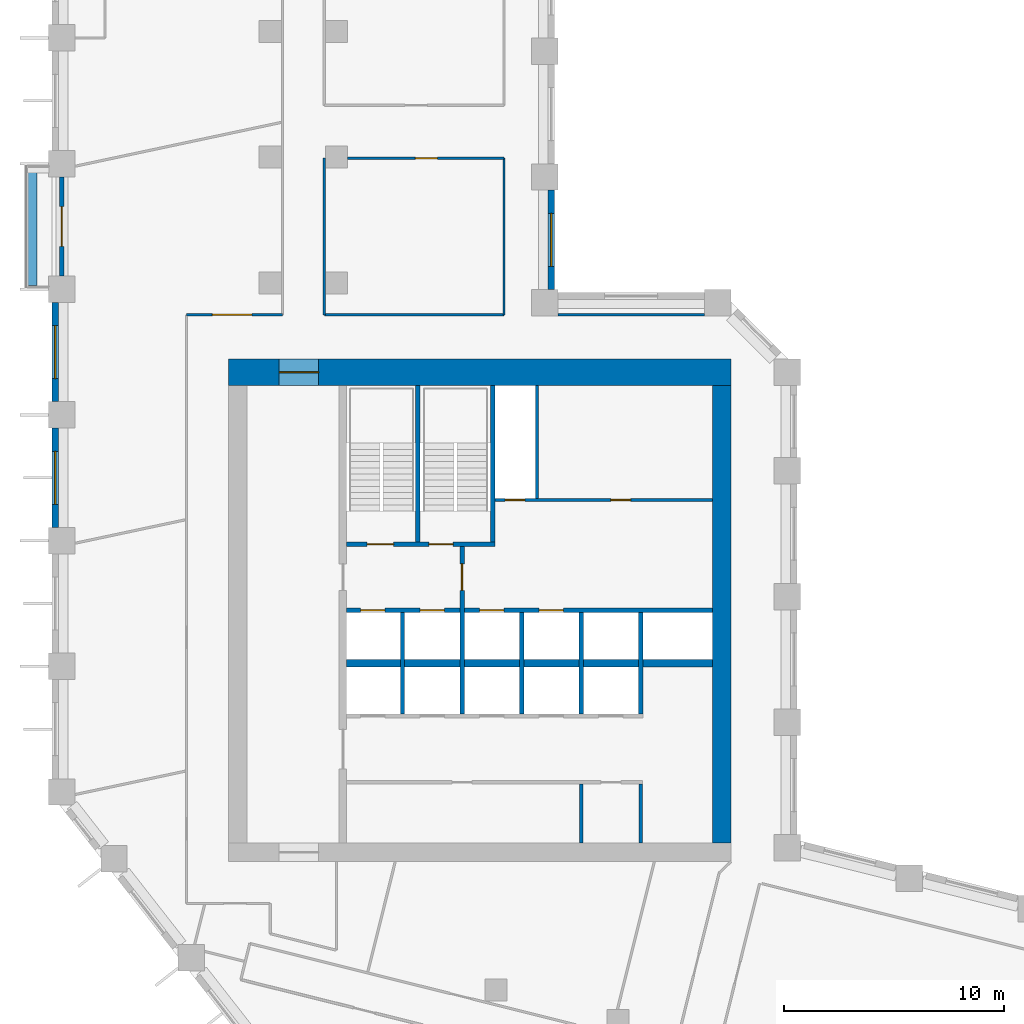
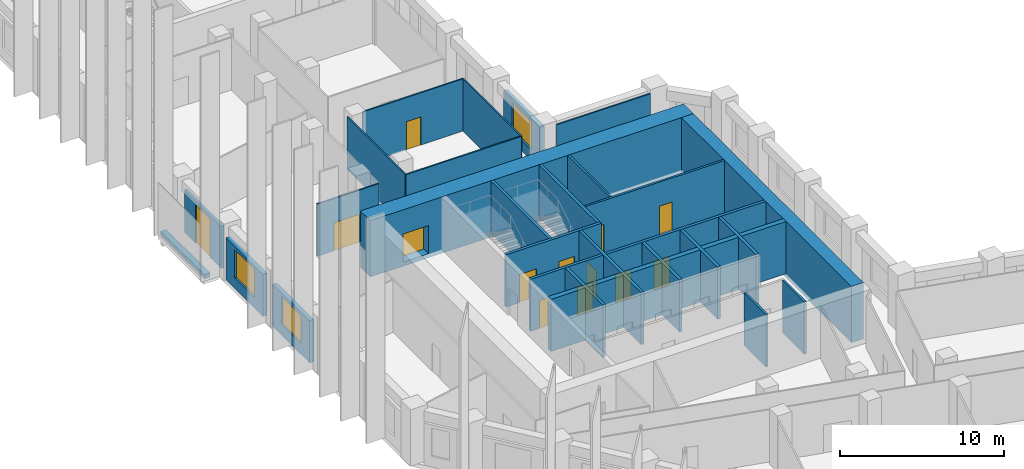
# One storey, part 5 of 10: 27 walls, 13 doors, 3 windows, 16 openings.
"""IFC4 building model written with IfcOpenShell, lengths in metres."""

import ifcopenshell
import ifcopenshell.guid

model = None  # the IFC model being written
_history = None  # IfcOwnerHistory: only IFC2X3 demands one
_inside = {}  # id of a spatial element -> (the spatial element, [elements in it])
_under = {}  # id of a project, library or spatial element -> (it, [spatial elements below it])
_declared = {}  # id of a project -> (the project, [libraries it declares])
_typed = {}  # id of a type object -> (the type object, [elements of that type])
_made_of = {}  # id of a material, layer set ... -> (it, [elements and type objects made of it])


def new_model(schema):
    """Start an empty IFC model of exactly this schema.

    Asked for "IFC4X3", IfcOpenShell would pick the latest addendum, in which some entities
    have other attributes; the version numbers below select the first issue.
    IFC2X3 requires an IfcOwnerHistory on every rooted entity: one is made here for all.
    """
    global model, _history
    if schema == "IFC4X3":
        model = ifcopenshell.file(schema_version=(4, 3, 0, 0))
    else:
        model = ifcopenshell.file(schema=schema)
    _inside.clear()
    _under.clear()
    _declared.clear()
    _typed.clear()
    _made_of.clear()
    _history = None
    if model.schema == "IFC2X3":
        org = make("IfcOrganization", Name="unknown")
        user = make(
            "IfcPersonAndOrganization",
            ThePerson=make("IfcPerson", FamilyName="unknown"),
            TheOrganization=org,
        )
        app = make(
            "IfcApplication",
            ApplicationDeveloper=org,
            Version="unknown",
            ApplicationFullName="unknown",
            ApplicationIdentifier="unknown",
        )
        _history = make(
            "IfcOwnerHistory",
            OwningUser=user,
            OwningApplication=app,
            ChangeAction="ADDED",
            CreationDate=0,
        )
    return model


def make(cls, **values):
    """One entity of the class cls with the attributes given. An attribute that is None is left unset."""
    return model.create_entity(
        cls, **{name: value for name, value in values.items() if value is not None}
    )


def rooted(cls, **values):
    """An entity with a GlobalId (a new one), such as an element, a storey or a relation."""
    return make(cls, GlobalId=ifcopenshell.guid.new(), OwnerHistory=_history, **values)


def si_unit(unit_type, name, prefix=None):
    """IfcSIUnit, for example si_unit("LENGTHUNIT", "METRE", prefix="MILLI")."""
    return make("IfcSIUnit", UnitType=unit_type, Prefix=prefix, Name=name)


def assignment(units):
    """IfcUnitAssignment: the units of a project."""
    return None if units is None else make("IfcUnitAssignment", Units=units)


def point(xyz):
    """IfcCartesianPoint."""
    return None if xyz is None else make("IfcCartesianPoint", Coordinates=xyz)


def direction(xyz):
    """IfcDirection."""
    return None if xyz is None else make("IfcDirection", DirectionRatios=xyz)


def frame(location, z_axis=None, x_axis=None):
    """IfcAxis2Placement3D, a coordinate frame: its origin and axes. An axis left out is left unset."""
    return make(
        "IfcAxis2Placement3D",
        Location=point(location),
        Axis=direction(z_axis),
        RefDirection=direction(x_axis),
    )


def frame_2d(location, x_axis=None):
    """IfcAxis2Placement2D, a coordinate frame in the plane: its origin and x axis."""
    return make(
        "IfcAxis2Placement2D", Location=point(location), RefDirection=direction(x_axis)
    )


def origin():
    """The frame at (0, 0, 0) with its axes left unset."""
    return frame((0.0, 0.0, 0.0))


def place(relative_to, where):
    """IfcLocalPlacement: puts the frame where relative to a parent placement (None: the world)."""
    return make(
        "IfcLocalPlacement", PlacementRelTo=relative_to, RelativePlacement=where
    )


def context(
    kind, dimensions, precision=None, world=None, true_north=None, identifier=None
):
    """IfcGeometricRepresentationContext, for example the 3D "Model" context."""
    return make(
        "IfcGeometricRepresentationContext",
        ContextIdentifier=identifier,
        ContextType=kind,
        CoordinateSpaceDimension=dimensions,
        Precision=precision,
        WorldCoordinateSystem=world,
        TrueNorth=true_north,
    )


def subcontext(parent, identifier, kind, view, scale=None):
    """IfcGeometricRepresentationSubContext, for example "Body" below "Model"."""
    return make(
        "IfcGeometricRepresentationSubContext",
        ContextIdentifier=identifier,
        ContextType=kind,
        ParentContext=parent,
        TargetScale=scale,
        TargetView=view,
    )


def project(units=None, contexts=None):
    """IfcProject with its units and contexts."""
    return rooted(
        "IfcProject",
        Name="project",
        RepresentationContexts=contexts,
        UnitsInContext=assignment(units),
    )


def spatial(cls, under=None, at=None, **own):
    """A site, building, storey or space (cls), placed at a placement, below another one or the project."""
    s = rooted(cls, ObjectPlacement=at, **own)
    if under is not None:
        _under.setdefault(under.id(), (under, []))[1].append(s)
    return s


def profile(cls, at=None, kind="AREA", **sizes):
    """A parametric profile (cls). Its sizes go by their IFC names, for example OverallWidth=200.0."""
    return make(cls, ProfileType=kind, Position=at, **sizes)


def rectangle(**sizes):
    """IfcRectangleProfileDef."""
    return profile("IfcRectangleProfileDef", **sizes)


def extrude(swept, where, along, depth):
    """IfcExtrudedAreaSolid: the profile swept, set in the frame where, extruded along a direction by depth."""
    return make(
        "IfcExtrudedAreaSolid",
        SweptArea=swept,
        Position=where,
        ExtrudedDirection=direction(along),
        Depth=depth,
    )


def shape(context_of_items, identifier, shape_type, items):
    """IfcShapeRepresentation: the items that make up one representation, for example the "Body"."""
    return make(
        "IfcShapeRepresentation",
        ContextOfItems=context_of_items,
        RepresentationIdentifier=identifier,
        RepresentationType=shape_type,
        Items=items,
    )


def material(Name=None, Category=None):
    """IfcMaterial."""
    return make("IfcMaterial", Name=Name, Category=Category)


def layer(
    of_material, thickness, ventilated=None, Name=None, Category=None, Priority=None
):
    """IfcMaterialLayer: one layer of a wall or slab, of a material (None: an air gap)."""
    return make(
        "IfcMaterialLayer",
        Material=of_material,
        LayerThickness=thickness,
        IsVentilated=ventilated,
        Name=Name,
        Category=Category,
        Priority=Priority,
    )


def layer_set(layers, Name=None):
    """IfcMaterialLayerSet."""
    return make("IfcMaterialLayerSet", MaterialLayers=layers, LayerSetName=Name)


def made_of(thing, what):
    """Note that an element or type object is made of a material, layer set ...; save() writes the relation."""
    if what is not None:
        _made_of.setdefault(what.id(), (what, []))[1].append(thing)
    return thing


def type_object(cls, material=None, **own):
    """A type object (cls), such as IfcWallType, which elements share."""
    return made_of(rooted(cls, **own), material)


def element(
    cls,
    number,
    at=None,
    inside=None,
    cuts=None,
    type_object=None,
    material=None,
    context=None,
    identifier="Body",
    shape_type=None,
    held_by="IfcProductDefinitionShape",
    body=None,
    shapes=None,
    **own,
):
    """One element of the class cls, such as IfcWall. Its Tag is "e" and its number.

    at: its placement. inside: the storey or other place that contains it. cuts: it is an
    opening in that element (IfcRelVoidsElement). A single representation is given by context,
    identifier, shape_type and body (its items); several are given by shapes. held_by: the class
    of the entity that holds the representations. save() writes the other relations.
    """
    e = rooted(cls, Tag="e%d" % number, ObjectPlacement=at, **own)
    if body is not None:
        shapes = [shape(context, identifier, shape_type, body)]
    if shapes is not None:
        e.Representation = make(held_by, Representations=shapes)
    if inside is not None:
        _inside.setdefault(inside.id(), (inside, []))[1].append(e)
    if cuts is not None:
        rooted(
            "IfcRelVoidsElement", RelatingBuildingElement=cuts, RelatedOpeningElement=e
        )
    if type_object is not None:
        _typed.setdefault(type_object.id(), (type_object, []))[1].append(e)
    return made_of(e, material)


def fill(opening, filler):
    """IfcRelFillsElement: the door or window that sits in an opening."""
    return rooted(
        "IfcRelFillsElement",
        RelatingOpeningElement=opening,
        RelatedBuildingElement=filler,
    )


def aggregate(whole, parts):
    """IfcRelAggregates: a whole, such as a stair, and the parts it consists of."""
    return rooted("IfcRelAggregates", RelatingObject=whole, RelatedObjects=parts)


def save(model, path):
    """Write the relations noted so far, then the file.

    IfcRelAggregates (storeys below a building ...), IfcRelContainedInSpatialStructure (elements
    in a storey), IfcRelDefinesByType, IfcRelAssociatesMaterial and IfcRelDeclares: one each for
    every whole, place, type object, material and project.
    """
    for whole, parts in _under.values():
        aggregate(whole, parts)
    for where, things in _inside.values():
        rooted(
            "IfcRelContainedInSpatialStructure",
            RelatedElements=things,
            RelatingStructure=where,
        )
    for kind, things in _typed.values():
        rooted("IfcRelDefinesByType", RelatedObjects=things, RelatingType=kind)
    for what, things in _made_of.values():
        rooted("IfcRelAssociatesMaterial", RelatedObjects=things, RelatingMaterial=what)
    for by, libraries in _declared.values():
        rooted("IfcRelDeclares", RelatingContext=by, RelatedDefinitions=libraries)
    model.write(path)


model = new_model("IFC4")

# Units and contexts
model_context = context("Model", 3, precision=1e-05, world=origin(), true_north=direction((0.0, 1.0)))
body_context = subcontext(model_context, "Body", "Model", "MODEL_VIEW")
ifc_project = project(units=[si_unit("LENGTHUNIT", "METRE"), si_unit("AREAUNIT", "SQUARE_METRE"), si_unit("VOLUMEUNIT", "CUBIC_METRE"), si_unit("PLANEANGLEUNIT", "RADIAN"), si_unit("MASSUNIT", "GRAM", prefix="KILO")], contexts=[model_context])

# Site, building, storey
site_placement = place(None, origin())
site = spatial("IfcSite", under=ifc_project, at=site_placement, CompositionType="ELEMENT")
building_placement = place(site_placement, origin())
building = spatial("IfcBuilding", under=site, at=building_placement, Name="Meshkara Civic Tower", CompositionType="ELEMENT")
storey_placement = place(building_placement, frame((0.0, 0.0, 178.199951171875)))
storey = spatial("IfcBuildingStorey", under=building, at=storey_placement, Name="L40", CompositionType="ELEMENT", Elevation=178.199951171875)

# Wall, openings, doors
ifc_material_1 = material(Name="Blockwork", Category="masonry")
ifc_layer_1 = layer(ifc_material_1, 0.14990234375)
ifc_layer_set_1 = layer_set([ifc_layer_1], Name="Core partition 150")
wall_type_1 = type_object("IfcWallType", Name="Core partition 150", PredefinedType="PARTITIONING", material=ifc_layer_set_1)
wall_1_placement = place(storey_placement, frame((20.10009765625, 30.5, 0.0), z_axis=(0.0, 0.0, 1.0), x_axis=(1.0, 0.0, 0.0)))
wall_1 = element("IfcWall", 1, at=wall_1_placement, inside=storey, type_object=wall_type_1, Name="L40-C010", PredefinedType="PARTITIONING", context=body_context, shape_type="SweptSolid", body=[
    extrude(rectangle(XDim=9.849853515625, YDim=0.14990234375, at=frame_2d((4.9248046875, 0.0))), origin(), (0.0, 0.0, 1.0), 3.900146484375),
])
opening_1_placement = place(wall_1_placement, frame((0.449951171875, 0.0, 0.0)))
opening_1 = element("IfcOpeningElement", 2, at=opening_1_placement, cuts=wall_1, Name="Opening L40-K012", PredefinedType="OPENING", context=body_context, shape_type="SweptSolid", body=[
    extrude(rectangle(XDim=0.89990234375, YDim=2.10009765625, at=frame_2d((0.449951171875, 1.050048828125))), frame((0.0, 0.0849609375, 0.0), z_axis=(0.0, -1.0, 0.0), x_axis=(1.0, 0.0, 0.0)), (0.0, 0.0, 1.0), 0.169921875),
])
opening_2_placement = place(wall_1_placement, frame((5.25, 0.0, 0.0)))
opening_2 = element("IfcOpeningElement", 3, at=opening_2_placement, cuts=wall_1, Name="Opening L40-K013", PredefinedType="OPENING", context=body_context, shape_type="SweptSolid", body=[
    extrude(rectangle(XDim=0.89990234375, YDim=2.10009765625, at=frame_2d((0.449951171875, 1.050048828125))), frame((0.0, 0.0849609375, 0.0), z_axis=(0.0, -1.0, 0.0), x_axis=(1.0, 0.0, 0.0)), (0.0, 0.0, 1.0), 0.169921875),
])
ifc_material_2 = material(Name="Timber door leaf in steel frame", Category="steel")
door_type_1 = type_object("IfcDoorType", Name="Core room door 900", OperationType="SINGLE_SWING_LEFT", PredefinedType="DOOR", material=ifc_material_2)
door_1_placement = place(opening_2_placement, origin())
door_1 = element("IfcDoor", 4, at=door_1_placement, inside=storey, type_object=door_type_1, Name="L40-K013", OperationType="SINGLE_SWING_LEFT", OverallHeight=2.10009765625, OverallWidth=0.89990234375, PredefinedType="DOOR", context=body_context, shape_type="SweptSolid", body=[
    extrude(rectangle(XDim=0.89990234375, YDim=2.10009765625, at=frame_2d((0.449951171875, 1.050048828125))), frame((0.0, 0.02490234375, 0.0), z_axis=(0.0, -1.0, 0.0), x_axis=(1.0, 0.0, 0.0)), (0.0, 0.0, 1.0), 0.050048828125),
])
fill(opening_2, door_1)
ifc_material_3 = material(Name="Fire-rated door leaf in steel frame", Category="steel")
door_type_2 = type_object("IfcDoorType", Name="Riser door 900", OperationType="SINGLE_SWING_LEFT", PredefinedType="DOOR", material=ifc_material_3)
door_2_placement = place(opening_1_placement, origin())
door_2 = element("IfcDoor", 5, at=door_2_placement, inside=storey, type_object=door_type_2, Name="L40-K012", OperationType="SINGLE_SWING_RIGHT", OverallHeight=2.10009765625, OverallWidth=0.89990234375, PredefinedType="DOOR", context=body_context, shape_type="SweptSolid", body=[
    extrude(rectangle(XDim=0.89990234375, YDim=2.10009765625, at=frame_2d((0.449951171875, 1.050048828125))), frame((0.0, 0.02490234375, 0.0), z_axis=(0.0, -1.0, 0.0), x_axis=(1.0, 0.0, 0.0)), (0.0, 0.0, 1.0), 0.050048828125),
])
fill(opening_1, door_2)

# Walls
wall_2_placement = place(storey_placement, frame((22.0, 30.574951171875, 0.0), z_axis=(0.0, 0.0, 1.0), x_axis=(0.0, 1.0, 0.0)))
element("IfcWall", 6, at=wall_2_placement, inside=storey, type_object=wall_type_1, Name="L40-C017", PredefinedType="PARTITIONING", context=body_context, shape_type="SweptSolid", body=[
    extrude(rectangle(XDim=5.125, YDim=0.14990234375, at=frame_2d((2.5625, 0.0))), origin(), (0.0, 0.0, 1.0), 3.900146484375),
])
for number, where, z_axis, x_axis, name in (
    (7, (24.0, 14.949951171875, 0.0), (0.0, 0.0, 1.0), (0.0, 1.0, 0.0), "L40-C018"),
    (8, (26.699951171875, 14.949951171875, 0.0), (0.0, 0.0, 1.0), (0.0, 1.0, 0.0), "L40-C020"),
):
    element("IfcWall", number, at=place(storey_placement, frame(where, z_axis=z_axis, x_axis=x_axis)), inside=storey, type_object=wall_type_1, Name=name, PredefinedType="PARTITIONING", context=body_context, shape_type="SweptSolid", body=[
        extrude(rectangle(XDim=2.675048828125, YDim=0.14990234375, at=frame_2d((1.33740234375, 0.0))), origin(), (0.0, 0.0, 1.0), 3.900146484375),
    ])

# Wall, opening, door
ifc_material_4 = material(Name="Concrete C70", Category="concrete")
ifc_layer_2 = layer(ifc_material_4, 1.199951171875)
ifc_layer_set_2 = layer_set([ifc_layer_2], Name="Core ring wall 1200 C70")
wall_type_2 = type_object("IfcWallType", Name="Core ring wall 1200 C70", PredefinedType="SHEAR", material=ifc_layer_set_2)
wall_3_placement = place(storey_placement, frame((8.0, 36.300048828125, -0.300048828125), z_axis=(0.0, 0.0, 1.0), x_axis=(1.0, 0.0, 0.0)))
wall_3 = element("IfcWall", 9, at=wall_3_placement, inside=storey, type_object=wall_type_2, Name="L40-C002", PredefinedType="SHEAR", context=body_context, shape_type="SweptSolid", body=[
    extrude(rectangle(XDim=22.800048828125, YDim=1.199951171875, at=frame_2d((11.39990234375, 0.0))), origin(), (0.0, 0.0, 1.0), 4.2001953125),
])
opening_3_placement = place(wall_3_placement, frame((2.300048828125, 0.0, 0.300048828125)))
opening_3 = element("IfcOpeningElement", 10, at=opening_3_placement, cuts=wall_3, Name="Opening L40-K019", PredefinedType="OPENING", context=body_context, shape_type="SweptSolid", body=[
    extrude(rectangle(XDim=1.800048828125, YDim=2.10009765625, at=frame_2d((0.89990234375, 1.050048828125))), frame((0.0, 0.60986328125, 0.0), z_axis=(0.0, -1.0, 0.0), x_axis=(1.0, 0.0, 0.0)), (0.0, 0.0, 1.0), 1.219970703125),
])
ifc_material_5 = material(Name="Fire-rated door leaf in steel frame", Category="steel")
door_type_3 = type_object("IfcDoorType", Name="Core double door 1800 EI 60", OperationType="DOUBLE_DOOR_SINGLE_SWING", PredefinedType="DOOR", material=ifc_material_5)
door_3_placement = place(opening_3_placement, origin())
door_3 = element("IfcDoor", 11, at=door_3_placement, inside=storey, type_object=door_type_3, Name="L40-K019", OperationType="DOUBLE_DOOR_SINGLE_SWING", OverallHeight=2.10009765625, OverallWidth=1.800048828125, PredefinedType="DOOR", context=body_context, shape_type="SweptSolid", body=[
    extrude(rectangle(XDim=1.800048828125, YDim=2.10009765625, at=frame_2d((0.89990234375, 1.050048828125))), frame((0.0, 0.02490234375, 0.0), z_axis=(0.0, -1.0, 0.0), x_axis=(1.0, 0.0, 0.0)), (0.0, 0.0, 1.0), 0.050048828125),
])
fill(opening_3, door_3)

# Walls
ifc_material_6 = material(Name="Concrete C70", Category="concrete")
ifc_layer_3 = layer(ifc_material_6, 0.85009765625)
ifc_layer_set_3 = layer_set([ifc_layer_3], Name="Core ring wall 850 C70")
wall_type_3 = type_object("IfcWallType", Name="Core ring wall 850 C70", PredefinedType="SHEAR", material=ifc_layer_set_3)
wall_4_placement = place(storey_placement, frame((30.375, 14.949951171875, -0.300048828125), z_axis=(0.0, 0.0, 1.0), x_axis=(0.0, 1.0, 0.0)))
element("IfcWall", 12, at=wall_4_placement, inside=storey, type_object=wall_type_3, Name="L40-C004", PredefinedType="SHEAR", context=body_context, shape_type="SweptSolid", body=[
    extrude(rectangle(XDim=20.75, YDim=0.85009765625, at=frame_2d((10.375, 0.0))), origin(), (0.0, 0.0, 1.0), 4.2001953125),
])
ifc_material_7 = material(Name="Concrete C70", Category="concrete")
ifc_layer_4 = layer(ifc_material_7, 0.340087890625)
ifc_layer_set_4 = layer_set([ifc_layer_4], Name="Core shear wall 340 C70")
wall_type_4 = type_object("IfcWallType", Name="Core shear wall 340 C70", PredefinedType="SHEAR", material=ifc_layer_set_4)
wall_5_placement = place(storey_placement, frame((13.3701171875, 23.10009765625, 0.0), z_axis=(0.0, 0.0, 1.0), x_axis=(1.0, 0.0, 0.0)))
element("IfcWall", 13, at=wall_5_placement, inside=storey, type_object=wall_type_4, Name="L40-C007", PredefinedType="SHEAR", context=body_context, shape_type="SweptSolid", body=[
    extrude(rectangle(XDim=16.579833984375, YDim=0.340087890625, at=frame_2d((8.2900390625, 0.0))), origin(), (0.0, 0.0, 1.0), 3.900146484375),
])

# Wall, opening, door
ifc_material_8 = material(Name="Corridor wall 100")
ifc_layer_5 = layer(ifc_material_8, 0.10009765625)
ifc_layer_set_5 = layer_set([ifc_layer_5], Name="Corridor wall 100")
wall_type_5 = type_object("IfcWallType", Name="Corridor wall 100", PredefinedType="PARTITIONING", material=ifc_layer_set_5)
wall_6_placement = place(storey_placement, frame((10.449951171875, 38.89990234375, 0.0), z_axis=(0.0, 0.0, 1.0), x_axis=(-1.0, 0.0, 0.0)))
wall_6 = element("IfcWall", 14, at=wall_6_placement, inside=storey, type_object=wall_type_5, Name="L40-W011", PredefinedType="PARTITIONING", context=body_context, shape_type="SweptSolid", body=[
    extrude(rectangle(XDim=4.349853515625, YDim=0.10009765625, at=frame_2d((2.1748046875, 0.0))), origin(), (0.0, 0.0, 1.0), 3.900146484375),
])
opening_4_placement = place(wall_6_placement, frame((1.3798828125, 0.0, 0.0)))
opening_4 = element("IfcOpeningElement", 15, at=opening_4_placement, cuts=wall_6, Name="Opening L40-D017", PredefinedType="OPENING", context=body_context, shape_type="SweptSolid", body=[
    extrude(rectangle(XDim=1.800048828125, YDim=2.10009765625, at=frame_2d((0.89990234375, 1.050048828125))), frame((0.0, 0.06005859375, 0.0), z_axis=(0.0, -1.0, 0.0), x_axis=(1.0, 0.0, 0.0)), (0.0, 0.0, 1.0), 0.1201171875),
])
ifc_material_9 = material(Name="Door pair 1800 x 2100")
door_type_4 = type_object("IfcDoorType", Name="Door pair 1800 x 2100", OperationType="SINGLE_SWING_LEFT", PredefinedType="DOOR", material=ifc_material_9)
door_4_placement = place(opening_4_placement, origin())
door_4 = element("IfcDoor", 16, at=door_4_placement, inside=storey, type_object=door_type_4, Name="L40-D017", OperationType="DOUBLE_DOOR_SINGLE_SWING", OverallHeight=2.10009765625, OverallWidth=1.800048828125, PredefinedType="DOOR", context=body_context, shape_type="SweptSolid", body=[
    extrude(rectangle(XDim=1.800048828125, YDim=2.10009765625, at=frame_2d((0.89990234375, 1.050048828125))), frame((0.0, 0.02490234375, 0.0), z_axis=(0.0, -1.0, 0.0), x_axis=(1.0, 0.0, 0.0)), (0.0, 0.0, 1.0), 0.050048828125),
])
fill(opening_4, door_4)

# Wall
wall_7_placement = place(storey_placement, frame((12.35009765625, 38.89990234375, 0.0), z_axis=(0.0, 0.0, 1.0), x_axis=(0.0, 1.0, 0.0)))
element("IfcWall", 17, at=wall_7_placement, inside=storey, type_object=wall_type_5, Name="L40-W013", PredefinedType="PARTITIONING", context=body_context, shape_type="SweptSolid", body=[
    extrude(rectangle(XDim=7.10009765625, YDim=0.10009765625, at=frame_2d((3.550048828125, 0.0))), origin(), (0.0, 0.0, 1.0), 3.900146484375),
])

# Wall, opening, door
wall_8_placement = place(storey_placement, frame((13.39990234375, 46.0, 0.0), z_axis=(0.0, 0.0, 1.0), x_axis=(1.0, 0.0, 0.0)))
wall_8 = element("IfcWall", 18, at=wall_8_placement, inside=storey, type_object=wall_type_5, Name="L40-W017", PredefinedType="PARTITIONING", context=body_context, shape_type="SweptSolid", body=[
    extrude(rectangle(XDim=7.10009765625, YDim=0.10009765625, at=frame_2d((3.550048828125, 0.0))), origin(), (0.0, 0.0, 1.0), 3.900146484375),
])
opening_5_placement = place(wall_8_placement, frame((3.080078125, 0.0, 0.0)))
opening_5 = element("IfcOpeningElement", 19, at=opening_5_placement, cuts=wall_8, Name="Opening L40-D018", PredefinedType="OPENING", context=body_context, shape_type="SweptSolid", body=[
    extrude(rectangle(XDim=1.0, YDim=2.10009765625, at=frame_2d((0.5, 1.050048828125))), frame((0.0, 0.06005859375, 0.0), z_axis=(0.0, -1.0, 0.0), x_axis=(1.0, 0.0, 0.0)), (0.0, 0.0, 1.0), 0.1201171875),
])
ifc_material_10 = material(Name="Door 1000 x 2100")
door_type_5 = type_object("IfcDoorType", Name="Door 1000 x 2100", OperationType="SINGLE_SWING_LEFT", PredefinedType="DOOR", material=ifc_material_10)
door_5_placement = place(opening_5_placement, origin())
door_5 = element("IfcDoor", 20, at=door_5_placement, inside=storey, type_object=door_type_5, Name="L40-D018", OperationType="SINGLE_SWING_LEFT", OverallHeight=2.10009765625, OverallWidth=1.0, PredefinedType="DOOR", context=body_context, shape_type="SweptSolid", body=[
    extrude(rectangle(XDim=1.0, YDim=2.10009765625, at=frame_2d((0.5, 1.050048828125))), frame((0.0, 0.02490234375, 0.0), z_axis=(0.0, -1.0, 0.0), x_axis=(1.0, 0.0, 0.0)), (0.0, 0.0, 1.0), 0.050048828125),
])
fill(opening_5, door_5)

# Walls
wall_9_placement = place(storey_placement, frame((20.5, 38.89990234375, 0.0), z_axis=(0.0, 0.0, 1.0), x_axis=(-1.0, 0.0, 0.0)))
element("IfcWall", 21, at=wall_9_placement, inside=storey, type_object=wall_type_5, Name="L40-W020", PredefinedType="PARTITIONING", context=body_context, shape_type="SweptSolid", body=[
    extrude(rectangle(XDim=8.14990234375, YDim=0.10009765625, at=frame_2d((4.074951171875, 0.0))), origin(), (0.0, 0.0, 1.0), 3.900146484375),
])
wall_10_placement = place(storey_placement, frame((20.5, 46.0, 0.0), z_axis=(0.0, 0.0, 1.0), x_axis=(0.0, -1.0, 0.0)))
element("IfcWall", 22, at=wall_10_placement, inside=storey, type_object=wall_type_5, Name="L40-W021", PredefinedType="PARTITIONING", context=body_context, shape_type="SweptSolid", body=[
    extrude(rectangle(XDim=7.10009765625, YDim=0.10009765625, at=frame_2d((3.550048828125, 0.0))), origin(), (0.0, 0.0, 1.0), 3.900146484375),
])
wall_11_placement = place(storey_placement, frame((29.593994140625, 38.89990234375, 0.0), z_axis=(0.0, 0.0, 1.0), x_axis=(-1.0, 0.0, 0.0)))
element("IfcWall", 23, at=wall_11_placement, inside=storey, type_object=wall_type_5, Name="L40-W025", PredefinedType="PARTITIONING", context=body_context, shape_type="SweptSolid", body=[
    extrude(rectangle(XDim=6.64404296875, YDim=0.10009765625, at=frame_2d((3.322021484375, 0.0))), origin(), (0.0, 0.0, 1.0), 3.900146484375),
])

# Wall, opening, window
ifc_material_11 = material(Name="Insulated infill panel with bronze anodised aluminium cladding", Category="aluminium")
ifc_layer_6 = layer(ifc_material_11, 0.300048828125)
ifc_layer_set_6 = layer_set([ifc_layer_6], Name="EXTERNAL INFILL WALL 300")
wall_type_6 = type_object("IfcWallType", Name="EXTERNAL INFILL WALL 300", PredefinedType="SOLIDWALL", material=ifc_layer_set_6)
wall_12_placement = place(storey_placement, frame((22.64990234375, 40.050048828125, 0.0), z_axis=(0.0, 0.0, 1.0), x_axis=(0.0, 1.0, 0.0)))
wall_12 = element("IfcWall", 24, at=wall_12_placement, inside=storey, type_object=wall_type_6, Name="External wall", PredefinedType="SOLIDWALL", context=body_context, shape_type="SweptSolid", body=[
    extrude(rectangle(XDim=4.5, YDim=0.300048828125, at=frame_2d((2.25, 0.0))), origin(), (0.0, 0.0, 1.0), 3.150146484375),
])
opening_6_placement = place(wall_12_placement, frame((1.050048828125, 0.0, 0.800048828125)))
opening_6 = element("IfcOpeningElement", 25, at=opening_6_placement, cuts=wall_12, Name="Opening W7", PredefinedType="OPENING", context=body_context, shape_type="SweptSolid", body=[
    extrude(rectangle(XDim=2.39990234375, YDim=2.10009765625, at=frame_2d((1.199951171875, 1.050048828125))), frame((0.0, 0.159912109375, 0.0), z_axis=(0.0, -1.0, 0.0), x_axis=(1.0, 0.0, 0.0)), (0.0, 0.0, 1.0), 0.320068359375),
])
ifc_material_12 = material(Name="Tinted double glazing", Category="glass")
window_type = type_object("IfcWindowType", Name="WINDOW 2400x2100", PartitioningType="DOUBLE_PANEL_VERTICAL", PredefinedType="WINDOW", material=ifc_material_12)
window_1_placement = place(opening_6_placement, origin())
window_1 = element("IfcWindow", 26, at=window_1_placement, inside=storey, type_object=window_type, Name="Window", OverallHeight=2.10009765625, OverallWidth=2.39990234375, PartitioningType="DOUBLE_PANEL_VERTICAL", PredefinedType="WINDOW", context=body_context, shape_type="SweptSolid", body=[
    extrude(rectangle(XDim=2.39990234375, YDim=2.10009765625, at=frame_2d((1.199951171875, 1.050048828125))), frame((0.0, 0.030029296875, 0.0), z_axis=(0.0, -1.0, 0.0), x_axis=(1.0, 0.0, 0.0)), (0.0, 0.0, 1.0), 0.06005859375),
])
fill(opening_6, window_1)

wall_13_placement = place(storey_placement, frame((0.14990234375, 39.455078125, 0.0), z_axis=(0.0, 0.0, 1.0), x_axis=(0.0, -1.0, 0.0)))
wall_13 = element("IfcWall", 27, at=wall_13_placement, inside=storey, type_object=wall_type_6, Name="External wall", PredefinedType="SOLIDWALL", context=body_context, shape_type="SweptSolid", body=[
    extrude(rectangle(XDim=4.5, YDim=0.300048828125, at=frame_2d((2.25, 0.0))), origin(), (0.0, 0.0, 1.0), 3.150146484375),
])
opening_7_placement = place(wall_13_placement, frame((1.050048828125, 0.0, 0.800048828125)))
opening_7 = element("IfcOpeningElement", 28, at=opening_7_placement, cuts=wall_13, Name="Opening W7", PredefinedType="OPENING", context=body_context, shape_type="SweptSolid", body=[
    extrude(rectangle(XDim=2.39990234375, YDim=2.10009765625, at=frame_2d((1.199951171875, 1.050048828125))), frame((0.0, 0.159912109375, 0.0), z_axis=(0.0, -1.0, 0.0), x_axis=(1.0, 0.0, 0.0)), (0.0, 0.0, 1.0), 0.320068359375),
])
window_2_placement = place(opening_7_placement, origin())
window_2 = element("IfcWindow", 29, at=window_2_placement, inside=storey, type_object=window_type, Name="Window", OverallHeight=2.10009765625, OverallWidth=2.39990234375, PartitioningType="DOUBLE_PANEL_VERTICAL", PredefinedType="WINDOW", context=body_context, shape_type="SweptSolid", body=[
    extrude(rectangle(XDim=2.39990234375, YDim=2.10009765625, at=frame_2d((1.199951171875, 1.050048828125))), frame((0.0, 0.030029296875, 0.0), z_axis=(0.0, -1.0, 0.0), x_axis=(1.0, 0.0, 0.0)), (0.0, 0.0, 1.0), 0.06005859375),
])
fill(opening_7, window_2)

wall_14_placement = place(storey_placement, frame((0.14990234375, 33.7548828125, 0.0), z_axis=(0.0, 0.0, 1.0), x_axis=(0.0, -1.0, 0.0)))
wall_14 = element("IfcWall", 30, at=wall_14_placement, inside=storey, type_object=wall_type_6, Name="External wall", PredefinedType="SOLIDWALL", context=body_context, shape_type="SweptSolid", body=[
    extrude(rectangle(XDim=4.5, YDim=0.300048828125, at=frame_2d((2.25, 0.0))), origin(), (0.0, 0.0, 1.0), 3.150146484375),
])
opening_8_placement = place(wall_14_placement, frame((1.050048828125, 0.0, 0.800048828125)))
opening_8 = element("IfcOpeningElement", 31, at=opening_8_placement, cuts=wall_14, Name="Opening W7", PredefinedType="OPENING", context=body_context, shape_type="SweptSolid", body=[
    extrude(rectangle(XDim=2.39990234375, YDim=2.10009765625, at=frame_2d((1.199951171875, 1.050048828125))), frame((0.0, 0.159912109375, 0.0), z_axis=(0.0, -1.0, 0.0), x_axis=(1.0, 0.0, 0.0)), (0.0, 0.0, 1.0), 0.320068359375),
])
window_3_placement = place(opening_8_placement, origin())
window_3 = element("IfcWindow", 32, at=window_3_placement, inside=storey, type_object=window_type, Name="Window", OverallHeight=2.10009765625, OverallWidth=2.39990234375, PartitioningType="DOUBLE_PANEL_VERTICAL", PredefinedType="WINDOW", context=body_context, shape_type="SweptSolid", body=[
    extrude(rectangle(XDim=2.39990234375, YDim=2.10009765625, at=frame_2d((1.199951171875, 1.050048828125))), frame((0.0, 0.030029296875, 0.0), z_axis=(0.0, -1.0, 0.0), x_axis=(1.0, 0.0, 0.0)), (0.0, 0.0, 1.0), 0.06005859375),
])
fill(opening_8, window_3)

# Wall, opening, door
ifc_material_13 = material(Name="Insulated infill panel with bronze anodised aluminium cladding", Category="aluminium")
ifc_layer_7 = layer(ifc_material_13, 0.199951171875)
ifc_layer_set_7 = layer_set([ifc_layer_7], Name="LOGGIA BACK WALL 200")
wall_type_7 = type_object("IfcWallType", Name="LOGGIA BACK WALL 200", PredefinedType="SOLIDWALL", material=ifc_layer_set_7)
wall_15_placement = place(storey_placement, frame((0.449951171875, 45.154052734375, 0.0), z_axis=(0.0, 0.0, 1.0), x_axis=(0.0, -1.0, 0.0)))
wall_15 = element("IfcWall", 33, at=wall_15_placement, inside=storey, type_object=wall_type_7, Name="Loggia wall", PredefinedType="SOLIDWALL", context=body_context, shape_type="SweptSolid", body=[
    extrude(rectangle(XDim=4.498046875, YDim=0.199951171875, at=frame_2d((2.2490234375, 0.0))), origin(), (0.0, 0.0, 1.0), 3.150146484375),
])
opening_9_placement = place(wall_15_placement, frame((1.35009765625, 0.0, 0.0)))
opening_9 = element("IfcOpeningElement", 34, at=opening_9_placement, cuts=wall_15, Name="Opening L40-L001", PredefinedType="OPENING", context=body_context, shape_type="SweptSolid", body=[
    extrude(rectangle(XDim=1.800048828125, YDim=2.89990234375, at=frame_2d((0.89990234375, 1.449951171875))), frame((0.0, 0.10986328125, 0.0), z_axis=(0.0, -1.0, 0.0), x_axis=(1.0, 0.0, 0.0)), (0.0, 0.0, 1.0), 0.219970703125),
])
ifc_material_14 = material(Name="Tinted double glazing", Category="glass")
door_type_6 = type_object("IfcDoorType", Name="LOGGIA DOOR 1800x2900", OperationType="DOUBLE_DOOR_SINGLE_SWING", PredefinedType="DOOR", material=ifc_material_14)
door_6_placement = place(opening_9_placement, origin())
door_6 = element("IfcDoor", 35, at=door_6_placement, inside=storey, type_object=door_type_6, Name="L40-L001", OperationType="DOUBLE_DOOR_SINGLE_SWING", OverallHeight=2.89990234375, OverallWidth=1.800048828125, PredefinedType="DOOR", context=body_context, shape_type="SweptSolid", body=[
    extrude(rectangle(XDim=1.800048828125, YDim=2.89990234375, at=frame_2d((0.89990234375, 1.449951171875))), frame((0.0, 0.02490234375, 0.0), z_axis=(0.0, -1.0, 0.0), x_axis=(1.0, 0.0, 0.0)), (0.0, 0.0, 1.0), 0.050048828125),
])
fill(opening_9, door_6)

# Wall
ifc_material_15 = material(Name="Concrete C40", Category="concrete")
ifc_layer_8 = layer(ifc_material_15, 0.39990234375)
ifc_layer_set_8 = layer_set([ifc_layer_8], Name="PLANTER TRAY")
wall_type_8 = type_object("IfcWallType", Name="PLANTER TRAY", PredefinedType="SOLIDWALL", material=ifc_layer_set_8)
wall_16_placement = place(storey_placement, frame((-0.8798828125, 45.5849609375, 0.0), z_axis=(0.0, 0.0, 1.0), x_axis=(0.0, -1.0, 0.0)))
element("IfcWall", 36, at=wall_16_placement, inside=storey, type_object=wall_type_8, Name="Planter", PredefinedType="SOLIDWALL", context=body_context, shape_type="SweptSolid", body=[
    extrude(rectangle(XDim=5.35986328125, YDim=0.39990234375, at=frame_2d((2.679931640625, 0.0))), origin(), (0.0, 0.0, 1.0), 0.300048828125),
])

# Wall, openings, doors
ifc_material_16 = material(Name="Concrete C40/50", Category="concrete")
ifc_layer_9 = layer(ifc_material_16, 0.199951171875)
ifc_layer_set_9 = layer_set([ifc_layer_9], Name="Shaft wall 200 C40/50")
wall_type_9 = type_object("IfcWallType", Name="Shaft wall 200 C40/50", PredefinedType="SOLIDWALL", material=ifc_layer_set_9)
wall_17_placement = place(storey_placement, frame((13.3701171875, 25.5, 0.0), z_axis=(0.0, 0.0, 1.0), x_axis=(1.0, 0.0, 0.0)))
wall_17 = element("IfcWall", 37, at=wall_17_placement, inside=storey, type_object=wall_type_9, Name="L40-C008", PredefinedType="SOLIDWALL", context=body_context, shape_type="SweptSolid", body=[
    extrude(rectangle(XDim=16.579833984375, YDim=0.199951171875, at=frame_2d((8.2900390625, 0.0))), origin(), (0.0, 0.0, 1.0), 3.900146484375),
])
opening_10_placement = place(wall_17_placement, frame((0.6298828125, 0.0, 0.0)))
opening_10 = element("IfcOpeningElement", 38, at=opening_10_placement, cuts=wall_17, Name="Opening L40-K006", PredefinedType="OPENING", context=body_context, shape_type="SweptSolid", body=[
    extrude(rectangle(XDim=1.10009765625, YDim=2.10009765625, at=frame_2d((0.550048828125, 1.050048828125))), frame((0.0, 0.10986328125, 0.0), z_axis=(0.0, -1.0, 0.0), x_axis=(1.0, 0.0, 0.0)), (0.0, 0.0, 1.0), 0.219970703125),
])
opening_11_placement = place(wall_17_placement, frame((3.330078125, 0.0, 0.0)))
opening_11 = element("IfcOpeningElement", 39, at=opening_11_placement, cuts=wall_17, Name="Opening L40-K007", PredefinedType="OPENING", context=body_context, shape_type="SweptSolid", body=[
    extrude(rectangle(XDim=1.10009765625, YDim=2.10009765625, at=frame_2d((0.550048828125, 1.050048828125))), frame((0.0, 0.10986328125, 0.0), z_axis=(0.0, -1.0, 0.0), x_axis=(1.0, 0.0, 0.0)), (0.0, 0.0, 1.0), 0.219970703125),
])
opening_12_placement = place(wall_17_placement, frame((6.030029296875, 0.0, 0.0)))
opening_12 = element("IfcOpeningElement", 40, at=opening_12_placement, cuts=wall_17, Name="Opening L40-K008", PredefinedType="OPENING", context=body_context, shape_type="SweptSolid", body=[
    extrude(rectangle(XDim=1.10009765625, YDim=2.10009765625, at=frame_2d((0.550048828125, 1.050048828125))), frame((0.0, 0.10986328125, 0.0), z_axis=(0.0, -1.0, 0.0), x_axis=(1.0, 0.0, 0.0)), (0.0, 0.0, 1.0), 0.219970703125),
])
opening_13_placement = place(wall_17_placement, frame((8.72998046875, 0.0, 0.0)))
opening_13 = element("IfcOpeningElement", 41, at=opening_13_placement, cuts=wall_17, Name="Opening L40-K009", PredefinedType="OPENING", context=body_context, shape_type="SweptSolid", body=[
    extrude(rectangle(XDim=1.10009765625, YDim=2.10009765625, at=frame_2d((0.550048828125, 1.050048828125))), frame((0.0, 0.10986328125, 0.0), z_axis=(0.0, -1.0, 0.0), x_axis=(1.0, 0.0, 0.0)), (0.0, 0.0, 1.0), 0.219970703125),
])
ifc_material_17 = material(Name="Stainless steel landing door", Category="steel")
door_type_7 = type_object("IfcDoorType", Name="Lift landing door 1100", OperationType="SLIDING_TO_LEFT", PredefinedType="DOOR", material=ifc_material_17)
door_7_placement = place(opening_10_placement, origin())
door_7 = element("IfcDoor", 42, at=door_7_placement, inside=storey, type_object=door_type_7, Name="L40-K006", OperationType="SLIDING_TO_LEFT", OverallHeight=2.10009765625, OverallWidth=1.10009765625, PredefinedType="DOOR", context=body_context, shape_type="SweptSolid", body=[
    extrude(rectangle(XDim=1.10009765625, YDim=2.10009765625, at=frame_2d((0.550048828125, 1.050048828125))), frame((0.0, 0.02490234375, 0.0), z_axis=(0.0, -1.0, 0.0), x_axis=(1.0, 0.0, 0.0)), (0.0, 0.0, 1.0), 0.050048828125),
])
fill(opening_10, door_7)
door_8_placement = place(opening_11_placement, origin())
door_8 = element("IfcDoor", 43, at=door_8_placement, inside=storey, type_object=door_type_7, Name="L40-K007", OperationType="SLIDING_TO_LEFT", OverallHeight=2.10009765625, OverallWidth=1.10009765625, PredefinedType="DOOR", context=body_context, shape_type="SweptSolid", body=[
    extrude(rectangle(XDim=1.10009765625, YDim=2.10009765625, at=frame_2d((0.550048828125, 1.050048828125))), frame((0.0, 0.02490234375, 0.0), z_axis=(0.0, -1.0, 0.0), x_axis=(1.0, 0.0, 0.0)), (0.0, 0.0, 1.0), 0.050048828125),
])
fill(opening_11, door_8)
door_9_placement = place(opening_12_placement, origin())
door_9 = element("IfcDoor", 44, at=door_9_placement, inside=storey, type_object=door_type_7, Name="L40-K008", OperationType="SLIDING_TO_LEFT", OverallHeight=2.10009765625, OverallWidth=1.10009765625, PredefinedType="DOOR", context=body_context, shape_type="SweptSolid", body=[
    extrude(rectangle(XDim=1.10009765625, YDim=2.10009765625, at=frame_2d((0.550048828125, 1.050048828125))), frame((0.0, 0.02490234375, 0.0), z_axis=(0.0, -1.0, 0.0), x_axis=(1.0, 0.0, 0.0)), (0.0, 0.0, 1.0), 0.050048828125),
])
fill(opening_12, door_9)
door_10_placement = place(opening_13_placement, origin())
door_10 = element("IfcDoor", 45, at=door_10_placement, inside=storey, type_object=door_type_7, Name="L40-K009", OperationType="SLIDING_TO_LEFT", OverallHeight=2.10009765625, OverallWidth=1.10009765625, PredefinedType="DOOR", context=body_context, shape_type="SweptSolid", body=[
    extrude(rectangle(XDim=1.10009765625, YDim=2.10009765625, at=frame_2d((0.550048828125, 1.050048828125))), frame((0.0, 0.02490234375, 0.0), z_axis=(0.0, -1.0, 0.0), x_axis=(1.0, 0.0, 0.0)), (0.0, 0.0, 1.0), 0.050048828125),
])
fill(opening_13, door_10)

# Wall
wall_18_placement = place(storey_placement, frame((15.89990234375, 20.800048828125, 0.0), z_axis=(0.0, 0.0, 1.0), x_axis=(0.0, 1.0, 0.0)))
element("IfcWall", 46, at=wall_18_placement, inside=storey, type_object=wall_type_9, Name="L40-C012", PredefinedType="SOLIDWALL", context=body_context, shape_type="SweptSolid", body=[
    extrude(rectangle(XDim=4.599853515625, YDim=0.199951171875, at=frame_2d((2.2998046875, 0.0))), origin(), (0.0, 0.0, 1.0), 3.900146484375),
])

# Wall, opening, door
wall_19_placement = place(storey_placement, frame((18.60009765625, 20.800048828125, 0.0), z_axis=(0.0, 0.0, 1.0), x_axis=(0.0, 1.0, 0.0)))
wall_19 = element("IfcWall", 47, at=wall_19_placement, inside=storey, type_object=wall_type_9, Name="L40-C014", PredefinedType="SOLIDWALL", context=body_context, shape_type="SweptSolid", body=[
    extrude(rectangle(XDim=7.599853515625, YDim=0.199951171875, at=frame_2d((3.7998046875, 0.0))), origin(), (0.0, 0.0, 1.0), 3.900146484375),
])
opening_14_placement = place(wall_19_placement, frame((5.60009765625, 0.0, 0.0)))
opening_14 = element("IfcOpeningElement", 48, at=opening_14_placement, cuts=wall_19, Name="Opening L40-K018", PredefinedType="OPENING", context=body_context, shape_type="SweptSolid", body=[
    extrude(rectangle(XDim=1.199951171875, YDim=2.10009765625, at=frame_2d((0.60009765625, 1.050048828125))), frame((0.0, 0.10986328125, 0.0), z_axis=(0.0, -1.0, 0.0), x_axis=(1.0, 0.0, 0.0)), (0.0, 0.0, 1.0), 0.219970703125),
])
ifc_material_18 = material(Name="Fire-rated door leaf in steel frame", Category="steel")
door_type_8 = type_object("IfcDoorType", Name="Fire-fighting lobby door 1200 EI 120", OperationType="SINGLE_SWING_LEFT", PredefinedType="DOOR", material=ifc_material_18)
door_11_placement = place(opening_14_placement, origin())
door_11 = element("IfcDoor", 49, at=door_11_placement, inside=storey, type_object=door_type_8, Name="L40-K018", OperationType="SINGLE_SWING_RIGHT", OverallHeight=2.10009765625, OverallWidth=1.199951171875, PredefinedType="DOOR", context=body_context, shape_type="SweptSolid", body=[
    extrude(rectangle(XDim=1.199951171875, YDim=2.10009765625, at=frame_2d((0.60009765625, 1.050048828125))), frame((0.0, 0.02490234375, 0.0), z_axis=(0.0, -1.0, 0.0), x_axis=(1.0, 0.0, 0.0)), (0.0, 0.0, 1.0), 0.050048828125),
])
fill(opening_14, door_11)

# Walls
for number, where, z_axis, x_axis, name in (
    (50, (21.300048828125, 20.800048828125, 0.0), (0.0, 0.0, 1.0), (0.0, 1.0, 0.0), "L40-C016"),
    (51, (24.0, 20.800048828125, 0.0), (0.0, 0.0, 1.0), (0.0, 1.0, 0.0), "L40-C019"),
    (52, (26.699951171875, 20.800048828125, 0.0), (0.0, 0.0, 1.0), (0.0, 1.0, 0.0), "L40-C021"),
):
    element("IfcWall", number, at=place(storey_placement, frame(where, z_axis=z_axis, x_axis=x_axis)), inside=storey, type_object=wall_type_9, Name=name, PredefinedType="SOLIDWALL", context=body_context, shape_type="SweptSolid", body=[
        extrude(rectangle(XDim=4.599853515625, YDim=0.199951171875, at=frame_2d((2.2998046875, 0.0))), origin(), (0.0, 0.0, 1.0), 3.900146484375),
    ])

# Wall, openings, doors
ifc_material_19 = material(Name="Concrete C40/50", Category="concrete")
ifc_layer_10 = layer(ifc_material_19, 0.199951171875)
ifc_layer_set_10 = layer_set([ifc_layer_10], Name="Stair enclosure wall 200 C40/50")
wall_type_10 = type_object("IfcWallType", Name="Stair enclosure wall 200 C40/50", PredefinedType="SOLIDWALL", material=ifc_layer_set_10)
wall_20_placement = place(storey_placement, frame((13.3701171875, 28.5, 0.0), z_axis=(0.0, 0.0, 1.0), x_axis=(1.0, 0.0, 0.0)))
wall_20 = element("IfcWall", 53, at=wall_20_placement, inside=storey, type_object=wall_type_10, Name="L40-C009", PredefinedType="SOLIDWALL", context=body_context, shape_type="SweptSolid", body=[
    extrude(rectangle(XDim=6.72998046875, YDim=0.199951171875, at=frame_2d((3.364990234375, 0.0))), origin(), (0.0, 0.0, 1.0), 3.900146484375),
])
opening_15_placement = place(wall_20_placement, frame((0.929931640625, 0.0, 0.0)))
opening_15 = element("IfcOpeningElement", 54, at=opening_15_placement, cuts=wall_20, Name="Opening L40-K014", PredefinedType="OPENING", context=body_context, shape_type="SweptSolid", body=[
    extrude(rectangle(XDim=1.199951171875, YDim=2.10009765625, at=frame_2d((0.60009765625, 1.050048828125))), frame((0.0, 0.10986328125, 0.0), z_axis=(0.0, -1.0, 0.0), x_axis=(1.0, 0.0, 0.0)), (0.0, 0.0, 1.0), 0.219970703125),
])
opening_16_placement = place(wall_20_placement, frame((3.72998046875, 0.0, 0.0)))
opening_16 = element("IfcOpeningElement", 55, at=opening_16_placement, cuts=wall_20, Name="Opening L40-K015", PredefinedType="OPENING", context=body_context, shape_type="SweptSolid", body=[
    extrude(rectangle(XDim=1.10009765625, YDim=2.10009765625, at=frame_2d((0.550048828125, 1.050048828125))), frame((0.0, 0.10986328125, 0.0), z_axis=(0.0, -1.0, 0.0), x_axis=(1.0, 0.0, 0.0)), (0.0, 0.0, 1.0), 0.219970703125),
])
ifc_material_20 = material(Name="Fire-rated door leaf in steel frame", Category="steel")
door_type_9 = type_object("IfcDoorType", Name="Stair door 1100 EI 120", OperationType="SINGLE_SWING_LEFT", PredefinedType="DOOR", material=ifc_material_20)
door_12_placement = place(opening_16_placement, origin())
door_12 = element("IfcDoor", 56, at=door_12_placement, inside=storey, type_object=door_type_9, Name="L40-K015", OperationType="SINGLE_SWING_LEFT", OverallHeight=2.10009765625, OverallWidth=1.10009765625, PredefinedType="DOOR", context=body_context, shape_type="SweptSolid", body=[
    extrude(rectangle(XDim=1.10009765625, YDim=2.10009765625, at=frame_2d((0.550048828125, 1.050048828125))), frame((0.0, 0.02490234375, 0.0), z_axis=(0.0, -1.0, 0.0), x_axis=(1.0, 0.0, 0.0)), (0.0, 0.0, 1.0), 0.050048828125),
])
fill(opening_16, door_12)
ifc_material_21 = material(Name="Fire-rated door leaf in steel frame", Category="steel")
door_type_10 = type_object("IfcDoorType", Name="Stair door 1200 EI 120", OperationType="SINGLE_SWING_LEFT", PredefinedType="DOOR", material=ifc_material_21)
door_13_placement = place(opening_15_placement, origin())
door_13 = element("IfcDoor", 57, at=door_13_placement, inside=storey, type_object=door_type_10, Name="L40-K014", OperationType="SINGLE_SWING_RIGHT", OverallHeight=2.10009765625, OverallWidth=1.199951171875, PredefinedType="DOOR", context=body_context, shape_type="SweptSolid", body=[
    extrude(rectangle(XDim=1.199951171875, YDim=2.10009765625, at=frame_2d((0.60009765625, 1.050048828125))), frame((0.0, 0.02490234375, 0.0), z_axis=(0.0, -1.0, 0.0), x_axis=(1.0, 0.0, 0.0)), (0.0, 0.0, 1.0), 0.050048828125),
])
fill(opening_15, door_13)

# Walls
for number, where, z_axis, x_axis, name in (
    (58, (16.60009765625, 28.60009765625, 0.0), (0.0, 0.0, 1.0), (0.0, 1.0, 0.0), "L40-C013"),
    (59, (20.0, 28.60009765625, 0.0), (0.0, 0.0, 1.0), (0.0, 1.0, 0.0), "L40-C015"),
):
    element("IfcWall", number, at=place(storey_placement, frame(where, z_axis=z_axis, x_axis=x_axis)), inside=storey, type_object=wall_type_10, Name=name, PredefinedType="SOLIDWALL", context=body_context, shape_type="SweptSolid", body=[
        extrude(rectangle(XDim=7.099853515625, YDim=0.199951171875, at=frame_2d((3.5498046875, 0.0))), origin(), (0.0, 0.0, 1.0), 3.900146484375),
    ])

save(model, "model.ifc")
